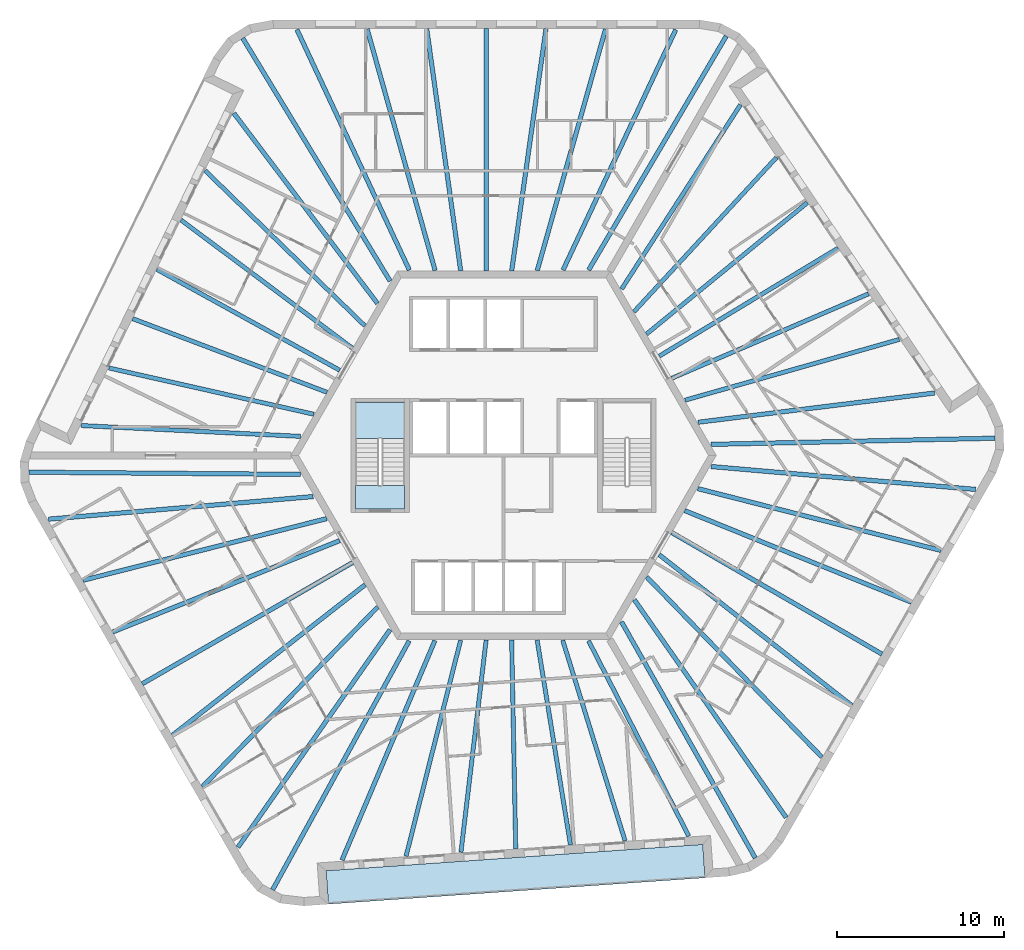
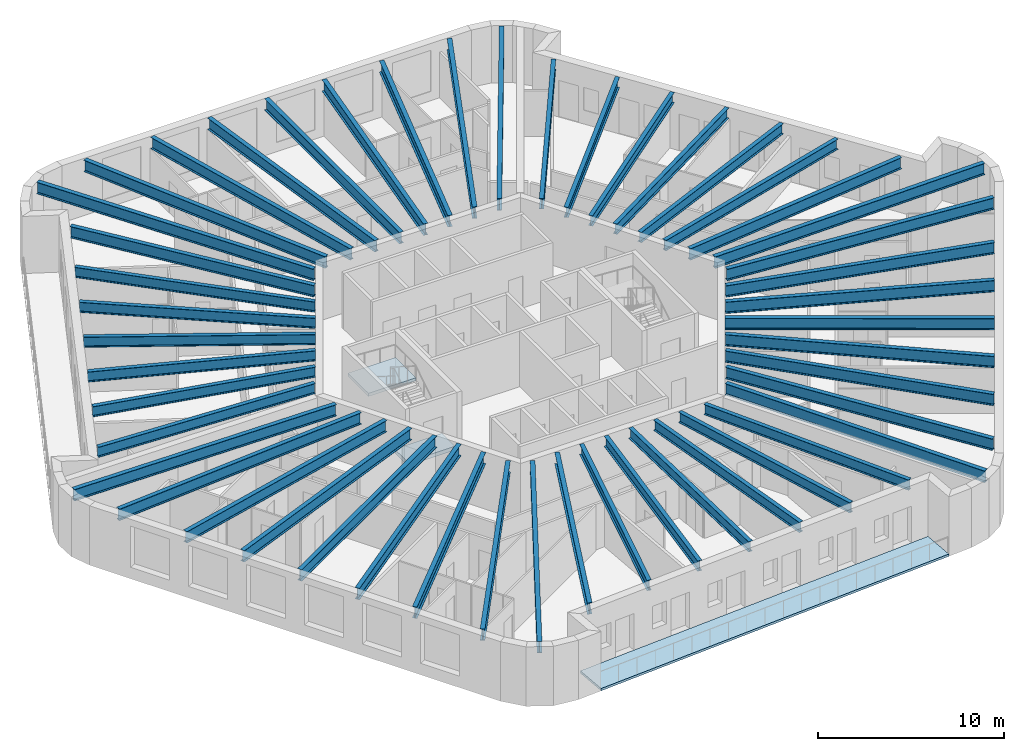
# One storey, part 1 of 12: 48 beams, 3 slabs, 1 element without a shape of its own.
"""IFC4 building model written with IfcOpenShell, lengths in metres."""

from ifc_helpers import new_model, si_unit, direction, frame, origin, origin_2d, place, context, subcontext, project, spatial, polyline, i_section, outline, extrude, material, layer, layer_set, material_profile, profile_set, type_object, element, aggregate, save


model = new_model("IFC4")

# Units and contexts
model_context = context("Model", 3, precision=1e-05, world=origin(), true_north=direction((0.0, 1.0)))
body_context = subcontext(model_context, "Body", "Model", "MODEL_VIEW")
ifc_project = project(units=[si_unit("LENGTHUNIT", "METRE"), si_unit("AREAUNIT", "SQUARE_METRE"), si_unit("VOLUMEUNIT", "CUBIC_METRE"), si_unit("PLANEANGLEUNIT", "RADIAN"), si_unit("MASSUNIT", "GRAM", prefix="KILO")], contexts=[model_context])

# Site, building, storey
site_placement = place(None, origin())
site = spatial("IfcSite", under=ifc_project, at=site_placement, CompositionType="ELEMENT")
building_placement = place(site_placement, origin())
building = spatial("IfcBuilding", under=site, at=building_placement, Name="Tarnside Tower", CompositionType="ELEMENT")
storey_placement = place(building_placement, frame((0.0, 0.0, 275.699951171875)))
storey = spatial("IfcBuildingStorey", under=building, at=storey_placement, Name="L66", CompositionType="ELEMENT", Elevation=275.699951171875)

# Beams
ifc_material_1 = material(Name="Steel S355", Category="steel")
ifc_material_profile_1 = material_profile(ifc_material_1, i_section(OverallWidth=0.2529296875, OverallDepth=0.677978515625, WebThickness=0.01171875, FlangeThickness=0.01611328125, FilletRadius=0.01513671875, at=origin_2d()), Name="UB 686x254x125")
ifc_profile_set_1 = profile_set([ifc_material_profile_1], Name="Steel S355")
beam_type_1 = type_object("IfcBeamType", Name="Floor beam UB 686x254x125", PredefinedType="BEAM", material=ifc_profile_set_1)
beam_1_placement = place(storey_placement, frame((-17.811279296875, 17.002197265625, 3.4111328125), z_axis=(0.717190986424, -0.696876666988, 0.0), x_axis=(0.696876666988, 0.717190986424, 0.0)))
element("IfcBeam", 1, at=beam_1_placement, inside=storey, type_object=beam_type_1, Name="Floor beam F2.02", PredefinedType="BEAM", context=body_context, shape_type="SweptSolid", body=[
    extrude(i_section(OverallWidth=0.2529296875, OverallDepth=0.677978515625, WebThickness=0.01171875, FlangeThickness=0.01611328125, FilletRadius=0.01513671875, at=origin_2d()), origin(), (0.0, 0.0, 1.0), 13.2919921875),
])
beam_2_placement = place(storey_placement, frame((-19.25, 14.0498046875, 3.4111328125), z_axis=(0.801006417676, -0.598655759883, 0.0), x_axis=(0.598655759883, 0.801006417676, 0.0)))
element("IfcBeam", 2, at=beam_2_placement, inside=storey, type_object=beam_type_1, Name="Floor beam F2.03", PredefinedType="BEAM", context=body_context, shape_type="SweptSolid", body=[
    extrude(i_section(OverallWidth=0.2529296875, OverallDepth=0.677978515625, WebThickness=0.01171875, FlangeThickness=0.01611328125, FilletRadius=0.01513671875, at=origin_2d()), origin(), (0.0, 0.0, 1.0), 12.764892578125),
])
beam_3_placement = place(storey_placement, frame((-20.70458984375, 11.111572265625, 3.4111328125), z_axis=(0.875666768762, -0.482915841619, 0.0), x_axis=(0.482915841619, 0.875666768762, 0.0)))
element("IfcBeam", 3, at=beam_3_placement, inside=storey, type_object=beam_type_1, Name="Floor beam F2.04", PredefinedType="BEAM", context=body_context, shape_type="SweptSolid", body=[
    extrude(i_section(OverallWidth=0.2529296875, OverallDepth=0.677978515625, WebThickness=0.01171875, FlangeThickness=0.01611328125, FilletRadius=0.01513671875, at=origin_2d()), origin(), (0.0, 0.0, 1.0), 12.468994140625),
])
beam_4_placement = place(storey_placement, frame((-22.141357421875, 8.165771484375, 3.4111328125), z_axis=(0.935116350489, -0.354340811998, 0.0), x_axis=(0.354340811998, 0.935116350489, 0.0)))
element("IfcBeam", 4, at=beam_4_placement, inside=storey, type_object=beam_type_1, Name="Floor beam F2.05", PredefinedType="BEAM", context=body_context, shape_type="SweptSolid", body=[
    extrude(i_section(OverallWidth=0.2529296875, OverallDepth=0.677978515625, WebThickness=0.01171875, FlangeThickness=0.01611328125, FilletRadius=0.01513671875, at=origin_2d()), origin(), (0.0, 0.0, 1.0), 12.399169921875),
])
beam_5_placement = place(storey_placement, frame((-23.556884765625, 5.2197265625, 3.4111328125), z_axis=(0.975445185376, -0.220242344534, 0.0), x_axis=(0.220242344534, 0.975445185376, 0.0)))
element("IfcBeam", 5, at=beam_5_placement, inside=storey, type_object=beam_type_1, Name="Floor beam F2.06", PredefinedType="BEAM", context=body_context, shape_type="SweptSolid", body=[
    extrude(i_section(OverallWidth=0.2529296875, OverallDepth=0.677978515625, WebThickness=0.01171875, FlangeThickness=0.01611328125, FilletRadius=0.01513671875, at=origin_2d()), origin(), (0.0, 0.0, 1.0), 12.538330078125),
])
beam_6_placement = place(storey_placement, frame((-25.214599609375, 1.7841796875, 3.4111328125), z_axis=(0.998783137237, -0.049317793651, 0.0), x_axis=(0.049317793651, 0.998783137237, 0.0)))
element("IfcBeam", 6, at=beam_6_placement, inside=storey, type_object=beam_type_1, Name="Floor beam F2.07", PredefinedType="BEAM", context=body_context, shape_type="SweptSolid", body=[
    extrude(i_section(OverallWidth=0.2529296875, OverallDepth=0.677978515625, WebThickness=0.01171875, FlangeThickness=0.01611328125, FilletRadius=0.01513671875, at=origin_2d()), origin(), (0.0, 0.0, 1.0), 13.103515625),
])
beam_7_placement = place(storey_placement, frame((-5.818603515625, -23.92626953125, 3.4111328125), z_axis=(0.244907502604, 0.969546448175, 0.0), x_axis=(-0.969546448175, 0.244907502604, 0.0)))
element("IfcBeam", 7, at=beam_7_placement, inside=storey, type_object=beam_type_1, Name="Floor beam F4.02", PredefinedType="BEAM", context=body_context, shape_type="SweptSolid", body=[
    extrude(i_section(OverallWidth=0.2529296875, OverallDepth=0.677978515625, WebThickness=0.01171875, FlangeThickness=0.01611328125, FilletRadius=0.01513671875, at=origin_2d()), origin(), (0.0, 0.0, 1.0), 13.292236328125),
])
beam_8_placement = place(storey_placement, frame((-2.54248046875, -23.69580078125, 3.4111328125), z_axis=(0.117949762105, 0.993019563563, 0.0), x_axis=(-0.993019563563, 0.117949762105, 0.0)))
element("IfcBeam", 8, at=beam_8_placement, inside=storey, type_object=beam_type_1, Name="Floor beam F4.03", PredefinedType="BEAM", context=body_context, shape_type="SweptSolid", body=[
    extrude(i_section(OverallWidth=0.2529296875, OverallDepth=0.677978515625, WebThickness=0.01171875, FlangeThickness=0.01611328125, FilletRadius=0.01513671875, at=origin_2d()), origin(), (0.0, 0.0, 1.0), 12.764892578125),
])
beam_9_placement = place(storey_placement, frame((0.7294921875, -23.486328125, 3.4111328125), z_axis=(-0.019619426101, 0.999807520536, 0.0), x_axis=(-0.999807520536, -0.019619426101, 0.0)))
element("IfcBeam", 9, at=beam_9_placement, inside=storey, type_object=beam_type_1, Name="Floor beam F4.04", PredefinedType="BEAM", context=body_context, shape_type="SweptSolid", body=[
    extrude(i_section(OverallWidth=0.2529296875, OverallDepth=0.677978515625, WebThickness=0.01171875, FlangeThickness=0.01611328125, FilletRadius=0.01513671875, at=origin_2d()), origin(), (0.0, 0.0, 1.0), 12.46875),
])
beam_10_placement = place(storey_placement, frame((3.9990234375, -23.2578125, 3.4111328125), z_axis=(-0.160690769029, 0.987004800773, 0.0), x_axis=(-0.987004800773, -0.160690769029, 0.0)))
element("IfcBeam", 10, at=beam_10_placement, inside=storey, type_object=beam_type_1, Name="Floor beam F4.05", PredefinedType="BEAM", context=body_context, shape_type="SweptSolid", body=[
    extrude(i_section(OverallWidth=0.2529296875, OverallDepth=0.677978515625, WebThickness=0.01171875, FlangeThickness=0.01611328125, FilletRadius=0.01513671875, at=origin_2d()), origin(), (0.0, 0.0, 1.0), 12.399169921875),
])
beam_11_placement = place(storey_placement, frame((7.258056640625, -23.0107421875, 3.4111328125), z_axis=(-0.296997512057, 0.954878252885, 0.0), x_axis=(-0.954878252885, -0.296997512057, 0.0)))
element("IfcBeam", 11, at=beam_11_placement, inside=storey, type_object=beam_type_1, Name="Floor beam F4.06", PredefinedType="BEAM", context=body_context, shape_type="SweptSolid", body=[
    extrude(i_section(OverallWidth=0.2529296875, OverallDepth=0.677978515625, WebThickness=0.01171875, FlangeThickness=0.01611328125, FilletRadius=0.01513671875, at=origin_2d()), origin(), (0.0, 0.0, 1.0), 12.538330078125),
])
beam_12_placement = place(storey_placement, frame((11.06201171875, -22.728515625, 3.4111328125), z_axis=(-0.456683143477, 0.889629420862, 0.0), x_axis=(-0.889629420862, -0.456683143477, 0.0)))
element("IfcBeam", 12, at=beam_12_placement, inside=storey, type_object=beam_type_1, Name="Floor beam F4.07", PredefinedType="BEAM", context=body_context, shape_type="SweptSolid", body=[
    extrude(i_section(OverallWidth=0.2529296875, OverallDepth=0.677978515625, WebThickness=0.01171875, FlangeThickness=0.01611328125, FilletRadius=0.01513671875, at=origin_2d()), origin(), (0.0, 0.0, 1.0), 13.103515625),
])
beam_13_placement = place(storey_placement, frame((23.6298828125, 6.924072265625, 3.4111328125), z_axis=(-0.962104001021, -0.272682766636, 0.0), x_axis=(0.272682766636, -0.962104001021, 0.0)))
element("IfcBeam", 13, at=beam_13_placement, inside=storey, type_object=beam_type_1, Name="Floor beam F6.02", PredefinedType="BEAM", context=body_context, shape_type="SweptSolid", body=[
    extrude(i_section(OverallWidth=0.2529296875, OverallDepth=0.677978515625, WebThickness=0.01171875, FlangeThickness=0.01611328125, FilletRadius=0.01513671875, at=origin_2d()), origin(), (0.0, 0.0, 1.0), 13.2919921875),
])
beam_14_placement = place(storey_placement, frame((21.792236328125, 9.64599609375, 3.4111328125), z_axis=(-0.918954980534, -0.394362452258, 0.0), x_axis=(0.394362452258, -0.918954980534, 0.0)))
element("IfcBeam", 14, at=beam_14_placement, inside=storey, type_object=beam_type_1, Name="Floor beam F6.03", PredefinedType="BEAM", context=body_context, shape_type="SweptSolid", body=[
    extrude(i_section(OverallWidth=0.2529296875, OverallDepth=0.677978515625, WebThickness=0.01171875, FlangeThickness=0.01611328125, FilletRadius=0.01513671875, at=origin_2d()), origin(), (0.0, 0.0, 1.0), 12.7646484375),
])
beam_15_placement = place(storey_placement, frame((19.97509765625, 12.375, 3.4111328125), z_axis=(-0.856046953876, -0.516898068055, 0.0), x_axis=(0.516898068055, -0.856046953876, 0.0)))
element("IfcBeam", 15, at=beam_15_placement, inside=storey, type_object=beam_type_1, Name="Floor beam F6.04", PredefinedType="BEAM", context=body_context, shape_type="SweptSolid", body=[
    extrude(i_section(OverallWidth=0.2529296875, OverallDepth=0.677978515625, WebThickness=0.01171875, FlangeThickness=0.01611328125, FilletRadius=0.01513671875, at=origin_2d()), origin(), (0.0, 0.0, 1.0), 12.46875),
])
beam_16_placement = place(storey_placement, frame((18.142333984375, 15.092041015625, 3.4111328125), z_axis=(-0.774438707576, -0.632648945473, 0.0), x_axis=(0.632648945473, -0.774438707576, 0.0)))
element("IfcBeam", 16, at=beam_16_placement, inside=storey, type_object=beam_type_1, Name="Floor beam F6.05", PredefinedType="BEAM", context=body_context, shape_type="SweptSolid", body=[
    extrude(i_section(OverallWidth=0.2529296875, OverallDepth=0.677978515625, WebThickness=0.01171875, FlangeThickness=0.01611328125, FilletRadius=0.01513671875, at=origin_2d()), origin(), (0.0, 0.0, 1.0), 12.39892578125),
])
beam_17_placement = place(storey_placement, frame((16.299072265625, 17.791015625, 3.4111328125), z_axis=(-0.67846123451, -0.734636204708, 0.0), x_axis=(0.734636204708, -0.67846123451, 0.0)))
element("IfcBeam", 17, at=beam_17_placement, inside=storey, type_object=beam_type_1, Name="Floor beam F6.06", PredefinedType="BEAM", context=body_context, shape_type="SweptSolid", body=[
    extrude(i_section(OverallWidth=0.2529296875, OverallDepth=0.677978515625, WebThickness=0.01171875, FlangeThickness=0.01611328125, FilletRadius=0.01513671875, at=origin_2d()), origin(), (0.0, 0.0, 1.0), 12.538330078125),
])
beam_18_placement = place(storey_placement, frame((14.152587890625, 20.9443359375, 3.4111328125), z_axis=(-0.54209970956, -0.840314170352, 0.0), x_axis=(0.840314170352, -0.54209970956, 0.0)))
element("IfcBeam", 18, at=beam_18_placement, inside=storey, type_object=beam_type_1, Name="Floor beam F6.07", PredefinedType="BEAM", context=body_context, shape_type="SweptSolid", body=[
    extrude(i_section(OverallWidth=0.2529296875, OverallDepth=0.677978515625, WebThickness=0.01171875, FlangeThickness=0.01611328125, FilletRadius=0.01513671875, at=origin_2d()), origin(), (0.0, 0.0, 1.0), 13.103759765625),
])
ifc_material_profile_2 = material_profile(ifc_material_1, i_section(OverallWidth=0.26513671875, OverallDepth=0.75390625, WebThickness=0.0126953125, FlangeThickness=0.017578125, FilletRadius=0.0166015625, at=origin_2d()), Name="UB 762x267x147")
ifc_profile_set_2 = profile_set([ifc_material_profile_2], Name="Steel S355")
beam_type_2 = type_object("IfcBeamType", Name="Floor beam UB 762x267x147", PredefinedType="BEAM", material=ifc_profile_set_2)
beam_19_placement = place(storey_placement, frame((6.093505859375, 25.46142578125, 3.373046875), z_axis=(-0.272147186115, -0.962255636039, 0.0), x_axis=(0.962255636039, -0.272147186115, 0.0)))
element("IfcBeam", 19, at=beam_19_placement, inside=storey, type_object=beam_type_2, Name="Floor beam F1.02", PredefinedType="BEAM", context=body_context, shape_type="SweptSolid", body=[
    extrude(i_section(OverallWidth=0.26513671875, OverallDepth=0.75390625, WebThickness=0.0126953125, FlangeThickness=0.017578125, FilletRadius=0.0166015625, at=origin_2d()), origin(), (0.0, 0.0, 1.0), 14.988525390625),
])
beam_20_placement = place(storey_placement, frame((2.537109375, 25.480224609375, 3.373046875), z_axis=(-0.140349428967, -0.990102034029, 0.0), x_axis=(0.990102034029, -0.140349428967, 0.0)))
element("IfcBeam", 20, at=beam_20_placement, inside=storey, type_object=beam_type_2, Name="Floor beam F1.03", PredefinedType="BEAM", context=body_context, shape_type="SweptSolid", body=[
    extrude(i_section(OverallWidth=0.26513671875, OverallDepth=0.75390625, WebThickness=0.0126953125, FlangeThickness=0.017578125, FilletRadius=0.0166015625, at=origin_2d()), origin(), (0.0, 0.0, 1.0), 14.60498046875),
])
beam_21_placement = place(storey_placement, frame((-1.02490234375, 25.5, 3.373046875), z_axis=(-0.000656653953, -0.999999784403, 0.0), x_axis=(0.999999784403, -0.000656653953, 0.0)))
element("IfcBeam", 21, at=beam_21_placement, inside=storey, type_object=beam_type_2, Name="Floor beam F1.04", PredefinedType="BEAM", context=body_context, shape_type="SweptSolid", body=[
    extrude(i_section(OverallWidth=0.26513671875, OverallDepth=0.75390625, WebThickness=0.0126953125, FlangeThickness=0.017578125, FilletRadius=0.0166015625, at=origin_2d()), origin(), (0.0, 0.0, 1.0), 14.5),
])
beam_22_placement = place(storey_placement, frame((-4.5869140625, 25.480224609375, 3.373046875), z_axis=(0.139070897001, -0.990282427193, 0.0), x_axis=(0.990282427193, 0.139070897001, 0.0)))
element("IfcBeam", 22, at=beam_22_placement, inside=storey, type_object=beam_type_2, Name="Floor beam F1.05", PredefinedType="BEAM", context=body_context, shape_type="SweptSolid", body=[
    extrude(i_section(OverallWidth=0.26513671875, OverallDepth=0.75390625, WebThickness=0.0126953125, FlangeThickness=0.017578125, FilletRadius=0.0166015625, at=origin_2d()), origin(), (0.0, 0.0, 1.0), 14.602294921875),
])
beam_23_placement = place(storey_placement, frame((-8.1435546875, 25.46142578125, 3.373046875), z_axis=(0.270985274434, -0.962583493023, 0.0), x_axis=(0.962583493023, 0.270985274434, 0.0)))
element("IfcBeam", 23, at=beam_23_placement, inside=storey, type_object=beam_type_2, Name="Floor beam F1.06", PredefinedType="BEAM", context=body_context, shape_type="SweptSolid", body=[
    extrude(i_section(OverallWidth=0.26513671875, OverallDepth=0.75390625, WebThickness=0.0126953125, FlangeThickness=0.017578125, FilletRadius=0.0166015625, at=origin_2d()), origin(), (0.0, 0.0, 1.0), 14.9833984375),
])
beam_24_placement = place(storey_placement, frame((-16.101318359375, 20.43212890625, 3.373046875), z_axis=(0.602566097863, -0.798068980543, 0.0), x_axis=(0.798068980543, 0.602566097863, 0.0)))
element("IfcBeam", 24, at=beam_24_placement, inside=storey, type_object=beam_type_2, Name="Floor beam F2.01", PredefinedType="BEAM", context=body_context, shape_type="SweptSolid", body=[
    extrude(i_section(OverallWidth=0.26513671875, OverallDepth=0.75390625, WebThickness=0.0126953125, FlangeThickness=0.017578125, FilletRadius=0.0166015625, at=origin_2d()), origin(), (0.0, 0.0, 1.0), 14.231201171875),
])
beam_25_placement = place(storey_placement, frame((-25.09716796875, -7.45361328125, 3.373046875), z_axis=(0.969413823687, 0.245431942592, 0.0), x_axis=(-0.245431942592, 0.969413823687, 0.0)))
element("IfcBeam", 25, at=beam_25_placement, inside=storey, type_object=beam_type_2, Name="Floor beam F3.02", PredefinedType="BEAM", context=body_context, shape_type="SweptSolid", body=[
    extrude(i_section(OverallWidth=0.26513671875, OverallDepth=0.75390625, WebThickness=0.0126953125, FlangeThickness=0.017578125, FilletRadius=0.0166015625, at=origin_2d()), origin(), (0.0, 0.0, 1.0), 14.98876953125),
])
beam_26_placement = place(storey_placement, frame((-23.3349609375, -10.54296875, 3.373046875), z_axis=(0.927625766949, 0.373510958998, 0.0), x_axis=(-0.373510958998, 0.927625766949, 0.0)))
element("IfcBeam", 26, at=beam_26_placement, inside=storey, type_object=beam_type_2, Name="Floor beam F3.03", PredefinedType="BEAM", context=body_context, shape_type="SweptSolid", body=[
    extrude(i_section(OverallWidth=0.26513671875, OverallDepth=0.75390625, WebThickness=0.0126953125, FlangeThickness=0.017578125, FilletRadius=0.0166015625, at=origin_2d()), origin(), (0.0, 0.0, 1.0), 14.60498046875),
])
beam_27_placement = place(storey_placement, frame((-21.5712890625, -13.6376953125, 3.373046875), z_axis=(0.866357363831, 0.499424587036, 0.0), x_axis=(-0.499424587036, 0.866357363831, 0.0)))
element("IfcBeam", 27, at=beam_27_placement, inside=storey, type_object=beam_type_2, Name="Floor beam F3.04", PredefinedType="BEAM", context=body_context, shape_type="SweptSolid", body=[
    extrude(i_section(OverallWidth=0.26513671875, OverallDepth=0.75390625, WebThickness=0.0126953125, FlangeThickness=0.017578125, FilletRadius=0.0166015625, at=origin_2d()), origin(), (0.0, 0.0, 1.0), 14.5),
])
beam_28_placement = place(storey_placement, frame((-19.77294921875, -16.71240234375, 3.373046875), z_axis=(0.788074813552, 0.615579473541, 0.0), x_axis=(-0.615579473541, 0.788074813552, 0.0)))
element("IfcBeam", 28, at=beam_28_placement, inside=storey, type_object=beam_type_2, Name="Floor beam F3.05", PredefinedType="BEAM", context=body_context, shape_type="SweptSolid", body=[
    extrude(i_section(OverallWidth=0.26513671875, OverallDepth=0.75390625, WebThickness=0.0126953125, FlangeThickness=0.017578125, FilletRadius=0.0166015625, at=origin_2d()), origin(), (0.0, 0.0, 1.0), 14.60205078125),
])
beam_29_placement = place(storey_placement, frame((-17.978515625, -19.783203125, 3.373046875), z_axis=(0.698129580508, 0.71597143017, 0.0), x_axis=(-0.71597143017, 0.698129580508, 0.0)))
element("IfcBeam", 29, at=beam_29_placement, inside=storey, type_object=beam_type_2, Name="Floor beam F3.06", PredefinedType="BEAM", context=body_context, shape_type="SweptSolid", body=[
    extrude(i_section(OverallWidth=0.26513671875, OverallDepth=0.75390625, WebThickness=0.0126953125, FlangeThickness=0.017578125, FilletRadius=0.0166015625, at=origin_2d()), origin(), (0.0, 0.0, 1.0), 14.983642578125),
])
beam_30_placement = place(storey_placement, frame((-9.64404296875, -24.160400390625, 3.373046875), z_axis=(0.389873911801, 0.920868249478, 0.0), x_axis=(-0.920868249478, 0.389873911801, 0.0)))
element("IfcBeam", 30, at=beam_30_placement, inside=storey, type_object=beam_type_2, Name="Floor beam F4.01", PredefinedType="BEAM", context=body_context, shape_type="SweptSolid", body=[
    extrude(i_section(OverallWidth=0.26513671875, OverallDepth=0.75390625, WebThickness=0.0126953125, FlangeThickness=0.017578125, FilletRadius=0.0166015625, at=origin_2d()), origin(), (0.0, 0.0, 1.0), 14.231201171875),
])
beam_31_placement = place(storey_placement, frame((19.00341796875, -18.008056640625, 3.373046875), z_axis=(-0.697249797022, 0.716828236437, 0.0), x_axis=(-0.716828236437, -0.697249797022, 0.0)))
element("IfcBeam", 31, at=beam_31_placement, inside=storey, type_object=beam_type_2, Name="Floor beam F5.02", PredefinedType="BEAM", context=body_context, shape_type="SweptSolid", body=[
    extrude(i_section(OverallWidth=0.26513671875, OverallDepth=0.75390625, WebThickness=0.0126953125, FlangeThickness=0.017578125, FilletRadius=0.0166015625, at=origin_2d()), origin(), (0.0, 0.0, 1.0), 14.98876953125),
])
beam_32_placement = place(storey_placement, frame((20.798095703125, -14.937255859375, 3.373046875), z_axis=(-0.787282014804, 0.616593082321, 0.0), x_axis=(-0.616593082321, -0.787282014804, 0.0)))
element("IfcBeam", 32, at=beam_32_placement, inside=storey, type_object=beam_type_2, Name="Floor beam F5.03", PredefinedType="BEAM", context=body_context, shape_type="SweptSolid", body=[
    extrude(i_section(OverallWidth=0.26513671875, OverallDepth=0.75390625, WebThickness=0.0126953125, FlangeThickness=0.017578125, FilletRadius=0.0166015625, at=origin_2d()), origin(), (0.0, 0.0, 1.0), 14.60498046875),
])
beam_33_placement = place(storey_placement, frame((22.59619140625, -11.8623046875, 3.373046875), z_axis=(-0.865697438889, 0.500567622106, 0.0), x_axis=(-0.500567622106, -0.865697438889, 0.0)))
element("IfcBeam", 33, at=beam_33_placement, inside=storey, type_object=beam_type_2, Name="Floor beam F5.04", PredefinedType="BEAM", context=body_context, shape_type="SweptSolid", body=[
    extrude(i_section(OverallWidth=0.26513671875, OverallDepth=0.75390625, WebThickness=0.0126953125, FlangeThickness=0.017578125, FilletRadius=0.0166015625, at=origin_2d()), origin(), (0.0, 0.0, 1.0), 14.500244140625),
])
beam_34_placement = place(storey_placement, frame((24.35986328125, -8.767578125, 3.373046875), z_axis=(-0.927145907531, 0.374700501933, 0.0), x_axis=(-0.374700501933, -0.927145907531, 0.0)))
element("IfcBeam", 34, at=beam_34_placement, inside=storey, type_object=beam_type_2, Name="Floor beam F5.05", PredefinedType="BEAM", context=body_context, shape_type="SweptSolid", body=[
    extrude(i_section(OverallWidth=0.26513671875, OverallDepth=0.75390625, WebThickness=0.0126953125, FlangeThickness=0.017578125, FilletRadius=0.0166015625, at=origin_2d()), origin(), (0.0, 0.0, 1.0), 14.60205078125),
])
beam_35_placement = place(storey_placement, frame((26.1220703125, -5.67822265625, 3.373046875), z_axis=(-0.969115089144, 0.246608888716, 0.0), x_axis=(-0.246608888716, -0.969115089144, 0.0)))
element("IfcBeam", 35, at=beam_35_placement, inside=storey, type_object=beam_type_2, Name="Floor beam F5.06", PredefinedType="BEAM", context=body_context, shape_type="SweptSolid", body=[
    extrude(i_section(OverallWidth=0.26513671875, OverallDepth=0.75390625, WebThickness=0.0126953125, FlangeThickness=0.017578125, FilletRadius=0.0166015625, at=origin_2d()), origin(), (0.0, 0.0, 1.0), 14.9833984375),
])
beam_36_placement = place(storey_placement, frame((25.745361328125, 3.72802734375, 3.373046875), z_axis=(-0.992433598491, -0.122782541866, 0.0), x_axis=(0.122782541866, -0.992433598491, 0.0)))
element("IfcBeam", 36, at=beam_36_placement, inside=storey, type_object=beam_type_2, Name="Floor beam F6.01", PredefinedType="BEAM", context=body_context, shape_type="SweptSolid", body=[
    extrude(i_section(OverallWidth=0.26513671875, OverallDepth=0.75390625, WebThickness=0.0126953125, FlangeThickness=0.017578125, FilletRadius=0.0166015625, at=origin_2d()), origin(), (0.0, 0.0, 1.0), 14.23095703125),
])
ifc_material_profile_3 = material_profile(ifc_material_1, i_section(OverallWidth=0.2666015625, OverallDepth=0.76220703125, WebThickness=0.014404296875, FlangeThickness=0.021484375, FilletRadius=0.0166015625, at=origin_2d()), Name="UB 762x267x173")
ifc_profile_set_3 = profile_set([ifc_material_profile_3], Name="Steel S355")
beam_type_3 = type_object("IfcBeamType", Name="Floor beam UB 762x267x173", PredefinedType="BEAM", material=ifc_profile_set_3)
beam_37_placement = place(storey_placement, frame((10.285400390625, 25.427490234375, 3.368896484375), z_axis=(-0.424439399801, -0.905456346765, 0.0), x_axis=(0.905456346765, -0.424439399801, 0.0)))
element("IfcBeam", 37, at=beam_37_placement, inside=storey, type_object=beam_type_3, Name="Floor beam F1.01", PredefinedType="BEAM", context=body_context, shape_type="SweptSolid", body=[
    extrude(i_section(OverallWidth=0.2666015625, OverallDepth=0.76220703125, WebThickness=0.014404296875, FlangeThickness=0.021484375, FilletRadius=0.0166015625, at=origin_2d()), origin(), (0.0, 0.0, 1.0), 15.853759765625),
])
beam_38_placement = place(storey_placement, frame((-12.335205078125, 25.427490234375, 3.368896484375), z_axis=(0.423453877267, -0.905917663934, 0.0), x_axis=(0.905917663934, 0.423453877267, 0.0)))
element("IfcBeam", 38, at=beam_38_placement, inside=storey, type_object=beam_type_3, Name="Floor beam F1.07", PredefinedType="BEAM", context=body_context, shape_type="SweptSolid", body=[
    extrude(i_section(OverallWidth=0.2666015625, OverallDepth=0.76220703125, WebThickness=0.014404296875, FlangeThickness=0.021484375, FilletRadius=0.0166015625, at=origin_2d()), origin(), (0.0, 0.0, 1.0), 15.845703125),
])
beam_39_placement = place(storey_placement, frame((-15.5703125, 24.91162109375, 3.368896484375), z_axis=(0.518716683755, -0.854946198304, 0.0), x_axis=(0.854946198304, 0.518716683755, 0.0)))
element("IfcBeam", 39, at=beam_39_placement, inside=storey, type_object=beam_type_3, Name="Floor beam C1", PredefinedType="BEAM", context=body_context, shape_type="SweptSolid", body=[
    extrude(i_section(OverallWidth=0.2666015625, OverallDepth=0.76220703125, WebThickness=0.014404296875, FlangeThickness=0.021484375, FilletRadius=0.0166015625, at=origin_2d()), origin(), (0.0, 0.0, 1.0), 16.961181640625),
])
beam_40_placement = place(storey_placement, frame((-28.3291015625, -1.0009765625, 3.368896484375), z_axis=(0.999966651082, -0.008166806173, 0.0), x_axis=(0.008166806173, 0.999966651082, 0.0)))
element("IfcBeam", 40, at=beam_40_placement, inside=storey, type_object=beam_type_3, Name="Floor beam C2", PredefinedType="BEAM", context=body_context, shape_type="SweptSolid", body=[
    extrude(i_section(OverallWidth=0.2666015625, OverallDepth=0.76220703125, WebThickness=0.014404296875, FlangeThickness=0.021484375, FilletRadius=0.0166015625, at=origin_2d()), origin(), (0.0, 0.0, 1.0), 16.20263671875),
])
beam_41_placement = place(storey_placement, frame((-27.16357421875, -3.806396484375, 3.368896484375), z_axis=(0.996367434748, 0.085158293626, 0.0), x_axis=(-0.085158293626, 0.996367434748, 0.0)))
element("IfcBeam", 41, at=beam_41_placement, inside=storey, type_object=beam_type_3, Name="Floor beam F3.01", PredefinedType="BEAM", context=body_context, shape_type="SweptSolid", body=[
    extrude(i_section(OverallWidth=0.2666015625, OverallDepth=0.76220703125, WebThickness=0.014404296875, FlangeThickness=0.021484375, FilletRadius=0.0166015625, at=origin_2d()), origin(), (0.0, 0.0, 1.0), 15.85400390625),
])
beam_42_placement = place(storey_placement, frame((-15.853271484375, -23.396484375, 3.368896484375), z_axis=(0.572816933654, 0.819683329414, 0.0), x_axis=(-0.819683329414, 0.572816933654, 0.0)))
element("IfcBeam", 42, at=beam_42_placement, inside=storey, type_object=beam_type_3, Name="Floor beam F3.07", PredefinedType="BEAM", context=body_context, shape_type="SweptSolid", body=[
    extrude(i_section(OverallWidth=0.2666015625, OverallDepth=0.76220703125, WebThickness=0.014404296875, FlangeThickness=0.021484375, FilletRadius=0.0166015625, at=origin_2d()), origin(), (0.0, 0.0, 1.0), 15.84619140625),
])
beam_43_placement = place(storey_placement, frame((-13.788818359375, -25.93994140625, 3.368896484375), z_axis=(0.481036073107, 0.876700802081, 0.0), x_axis=(-0.876700802081, 0.481036073107, 0.0)))
element("IfcBeam", 43, at=beam_43_placement, inside=storey, type_object=beam_type_3, Name="Floor beam C3", PredefinedType="BEAM", context=body_context, shape_type="SweptSolid", body=[
    extrude(i_section(OverallWidth=0.2666015625, OverallDepth=0.76220703125, WebThickness=0.014404296875, FlangeThickness=0.021484375, FilletRadius=0.0166015625, at=origin_2d()), origin(), (0.0, 0.0, 1.0), 16.961181640625),
])
beam_44_placement = place(storey_placement, frame((15.031494140625, -24.033447265625, 3.368896484375), z_axis=(-0.49290801997, 0.870081423689, 0.0), x_axis=(-0.870081423689, -0.49290801997, 0.0)))
element("IfcBeam", 44, at=beam_44_placement, inside=storey, type_object=beam_type_3, Name="Floor beam C4", PredefinedType="BEAM", context=body_context, shape_type="SweptSolid", body=[
    extrude(i_section(OverallWidth=0.2666015625, OverallDepth=0.76220703125, WebThickness=0.014404296875, FlangeThickness=0.021484375, FilletRadius=0.0166015625, at=origin_2d()), origin(), (0.0, 0.0, 1.0), 16.202880859375),
])
beam_45_placement = place(storey_placement, frame((16.87841796875, -21.62109375, 3.368896484375), z_axis=(-0.571946235641, 0.82029110902, 0.0), x_axis=(-0.82029110902, -0.571946235641, 0.0)))
element("IfcBeam", 45, at=beam_45_placement, inside=storey, type_object=beam_type_3, Name="Floor beam F5.01", PredefinedType="BEAM", context=body_context, shape_type="SweptSolid", body=[
    extrude(i_section(OverallWidth=0.2666015625, OverallDepth=0.76220703125, WebThickness=0.014404296875, FlangeThickness=0.021484375, FilletRadius=0.0166015625, at=origin_2d()), origin(), (0.0, 0.0, 1.0), 15.85400390625),
])
beam_46_placement = place(storey_placement, frame((28.1884765625, -2.03125, 3.368896484375), z_axis=(-0.996273584651, 0.086249316098, 0.0), x_axis=(-0.086249316098, -0.996273584651, 0.0)))
element("IfcBeam", 46, at=beam_46_placement, inside=storey, type_object=beam_type_3, Name="Floor beam F5.07", PredefinedType="BEAM", context=body_context, shape_type="SweptSolid", body=[
    extrude(i_section(OverallWidth=0.2666015625, OverallDepth=0.76220703125, WebThickness=0.014404296875, FlangeThickness=0.021484375, FilletRadius=0.0166015625, at=origin_2d()), origin(), (0.0, 0.0, 1.0), 15.845947265625),
])
beam_47_placement = place(storey_placement, frame((29.359130859375, 1.028564453125, 3.368896484375), z_axis=(-0.999763142455, -0.02176370807, 0.0), x_axis=(0.02176370807, -0.999763142455, 0.0)))
element("IfcBeam", 47, at=beam_47_placement, inside=storey, type_object=beam_type_3, Name="Floor beam C5", PredefinedType="BEAM", context=body_context, shape_type="SweptSolid", body=[
    extrude(i_section(OverallWidth=0.2666015625, OverallDepth=0.76220703125, WebThickness=0.014404296875, FlangeThickness=0.021484375, FilletRadius=0.0166015625, at=origin_2d()), origin(), (0.0, 0.0, 1.0), 16.961181640625),
])
beam_48_placement = place(storey_placement, frame((13.2978515625, 25.0341796875, 3.368896484375), z_axis=(-0.507080048325, -0.861898964259, 0.0), x_axis=(0.861898964259, -0.507080048325, 0.0)))
element("IfcBeam", 48, at=beam_48_placement, inside=storey, type_object=beam_type_3, Name="Floor beam C6", PredefinedType="BEAM", context=body_context, shape_type="SweptSolid", body=[
    extrude(i_section(OverallWidth=0.2666015625, OverallDepth=0.76220703125, WebThickness=0.014404296875, FlangeThickness=0.021484375, FilletRadius=0.0166015625, at=origin_2d()), origin(), (0.0, 0.0, 1.0), 16.20263671875),
])

# Slabs
ifc_material_2 = material(Name="Concrete C40/50", Category="concrete")
ifc_layer_1 = layer(ifc_material_2, 0.25)
ifc_layer_set_1 = layer_set([ifc_layer_1], Name="Core slab C40/50")
slab_type_1 = type_object("IfcSlabType", Name="Core slab C40/50", PredefinedType="FLOOR", material=ifc_layer_set_1)
slab_1_placement = place(storey_placement, frame((0.0, 0.0, -0.25)))
element("IfcSlab", 49, at=slab_1_placement, inside=storey, type_object=slab_type_1, Name="L66 core floor slab 2", PredefinedType="FLOOR", context=body_context, shape_type="SweptSolid", body=[
    extrude(outline(polyline([(-8.85009765625, -3.199951171875), (-8.85009765625, -1.800048828125), (-5.89990234375, -1.800048828125), (-5.89990234375, -3.199951171875), (-8.85009765625, -3.199951171875)])), origin(), (0.0, 0.0, 1.0), 0.25),
])
ifc_material_3 = material(Name="Timber decking", Category="wood")
ifc_layer_2 = layer(ifc_material_3, 0.0400390625)
ifc_material_4 = material(Name="Concrete C60/75 precast", Category="concrete")
ifc_layer_3 = layer(ifc_material_4, 0.110107421875)
ifc_layer_set_2 = layer_set([ifc_layer_2, ifc_layer_3], Name="Loggia deck 150")
slab_type_2 = type_object("IfcSlabType", Name="Loggia deck 150", PredefinedType="FLOOR", material=ifc_layer_set_2)
slab_2_placement = place(storey_placement, frame((0.0, 0.0, -0.14990234375)))
element("IfcSlab", 50, at=slab_2_placement, inside=storey, type_object=slab_type_2, Name="Loggia deck L66 F4", PredefinedType="FLOOR", context=body_context, shape_type="SweptSolid", body=[
    extrude(outline(polyline([(-10.593017578125, -24.79931640625), (11.896728515625, -23.226806640625), (12.036376953125, -25.221923828125), (-10.45361328125, -26.79443359375), (-10.593017578125, -24.79931640625)])), origin(), (0.0, 0.0, 1.0), 0.14990234375),
])

# Stair, slab
stair_type = type_object("IfcStairType", Name="Exit stair 1400 clear", PredefinedType="HALF_TURN_STAIR", material=ifc_material_2)
stair_placement = place(storey_placement, origin())
stair = element("IfcStair", 51, at=stair_placement, inside=storey, type_object=stair_type, Name="L66 Exit stair 2", PredefinedType="HALF_TURN_STAIR")
ifc_layer_4 = layer(ifc_material_2, 0.199951171875)
ifc_layer_set_3 = layer_set([ifc_layer_4], Name="Stair landing 200 C40/50")
slab_type_3 = type_object("IfcSlabType", Name="Stair landing 200 C40/50", PredefinedType="LANDING", material=ifc_layer_set_3)
slab_3_placement = place(storey_placement, frame((0.0, 0.0, 1.75)))
slab_3 = element("IfcSlab", 52, at=slab_3_placement, type_object=slab_type_3, Name="ST2 landing 1", PredefinedType="LANDING", context=body_context, shape_type="SweptSolid", body=[
    extrude(outline(polyline([(-5.89990234375, 1.0), (-5.89990234375, 3.199951171875), (-8.85009765625, 3.199951171875), (-8.85009765625, 1.0), (-5.89990234375, 1.0)])), origin(), (0.0, 0.0, 1.0), 0.199951171875),
])
aggregate(stair, [slab_3])

save(model, "model.ifc")
